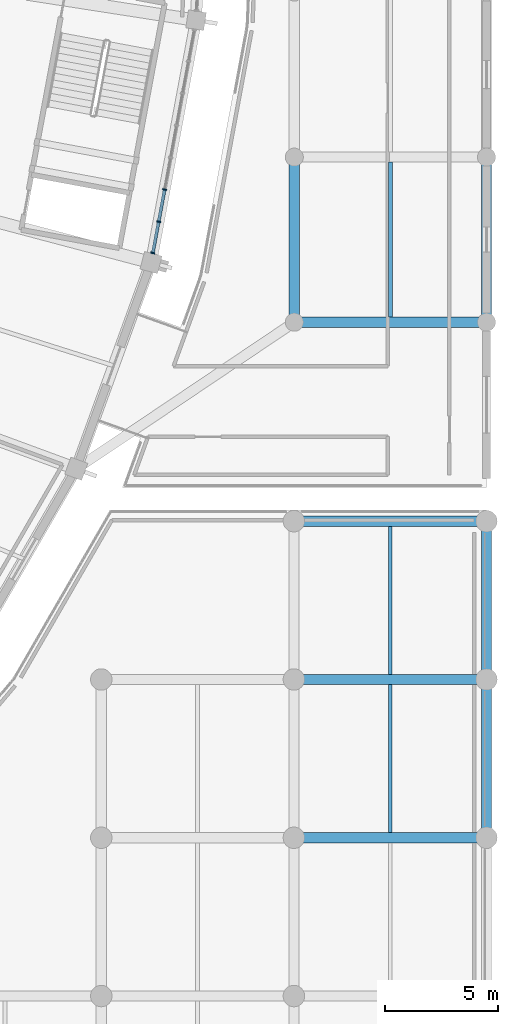
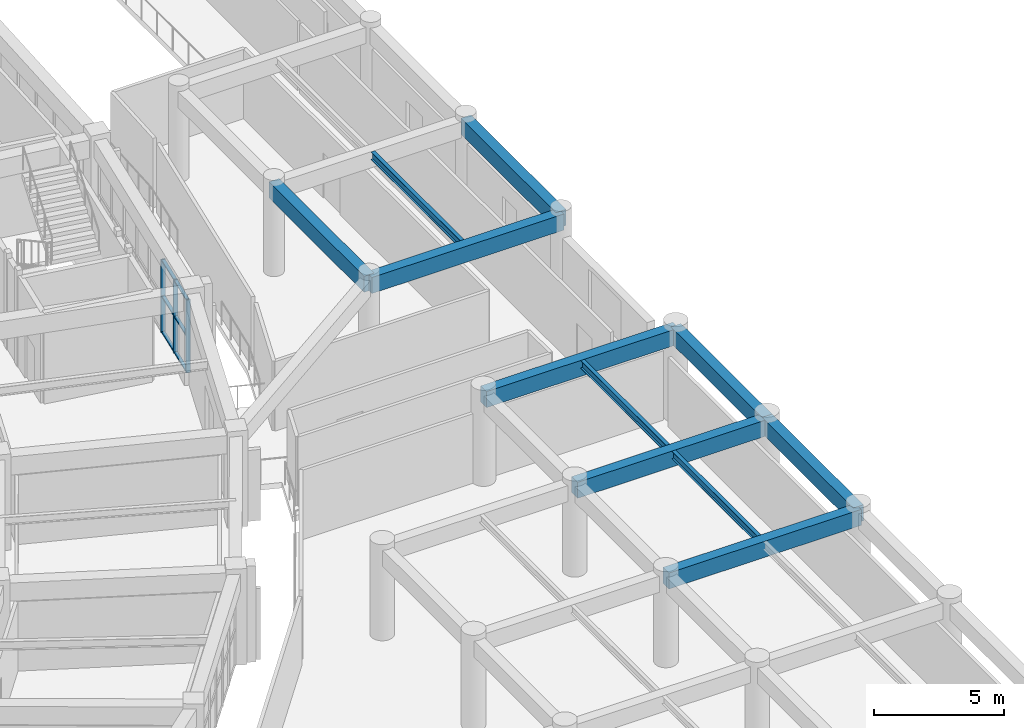
# One storey, part 46 of 145: 11 beams, 9 members, 1 element without a shape of its own.
"""IFC4 building model written with IfcOpenShell, lengths in metres."""

from ifc_helpers import new_model, si_unit, direction, frame, origin, origin_2d, place, context, subcontext, project, spatial, rectangle, i_section, extrude, material, layer, layer_set, material_profile, profile_set, type_object, element, aggregate, save


model = new_model("IFC4")

# Units and contexts
model_context = context("Model", 3, precision=1e-05, world=origin(), true_north=direction((0.0, 1.0)))
body_context = subcontext(model_context, "Body", "Model", "MODEL_VIEW")
ifc_project = project(units=[si_unit("LENGTHUNIT", "METRE"), si_unit("AREAUNIT", "SQUARE_METRE"), si_unit("VOLUMEUNIT", "CUBIC_METRE"), si_unit("PLANEANGLEUNIT", "RADIAN"), si_unit("MASSUNIT", "GRAM", prefix="KILO")], contexts=[model_context])

# Site, building, storey
site_placement = place(None, origin())
site = spatial("IfcSite", under=ifc_project, at=site_placement, CompositionType="ELEMENT")
building_placement = place(site_placement, origin())
building = spatial("IfcBuilding", under=site, at=building_placement, Name="Mphavela Belvedere Stadium", CompositionType="ELEMENT")
storey_placement = place(building_placement, frame((0.0, 0.0, 10.199951171875)))
storey = spatial("IfcBuildingStorey", under=building, at=storey_placement, Name="L02", CompositionType="ELEMENT", Elevation=10.199951171875)

# Beams
ifc_material_1 = material(Name="Steel S355", Category="steel")
ifc_material_profile_1 = material_profile(ifc_material_1, i_section(OverallWidth=0.169921875, OverallDepth=0.360107421875, WebThickness=0.008056640625, FlangeThickness=0.0126953125, at=origin_2d()), Name="IPE 360")
ifc_profile_set_1 = profile_set([ifc_material_profile_1], Name="Steel S355")
beam_type_1 = type_object("IfcBeamType", Name="BM-JOIST-IPE360", PredefinedType="JOIST", material=ifc_profile_set_1)
for number, where, z_axis, x_axis, name in (
    (1, (225.740478515625, 35.22509765625, 4.06005859375), (0.0, 1.0, 0.0), (-1.0, 0.0, 0.0), "South Axial Triumphal Peristyle Portico secondary joist L02 27-6"),
    (2, (225.740478515625, 42.22509765625, 4.06005859375), (0.0, 1.0, 0.0), (-1.0, 0.0, 0.0), "South Axial Triumphal Peristyle Portico secondary joist L02 27-7"),
):
    element("IfcBeam", number, at=place(storey_placement, frame(where, z_axis=z_axis, x_axis=x_axis)), inside=storey, type_object=beam_type_1, Name=name, PredefinedType="JOIST", context=body_context, shape_type="SweptSolid", body=[
        extrude(i_section(OverallWidth=0.169921875, OverallDepth=0.360107421875, WebThickness=0.008056640625, FlangeThickness=0.0126953125, at=origin_2d()), origin(), (0.0, 0.0, 1.0), 6.5498046875),
    ])
beam_1_placement = place(storey_placement, frame((225.75, 58.02490234375, 4.06005859375), z_axis=(0.0, 1.0, 0.0), x_axis=(-1.0, 0.0, 0.0)))
element("IfcBeam", 3, at=beam_1_placement, inside=storey, type_object=beam_type_1, Name="East Planted Eaves Peristyle Colonnade secondary joist L02 8-2", PredefinedType="JOIST", context=body_context, shape_type="SweptSolid", body=[
    extrude(i_section(OverallWidth=0.169921875, OverallDepth=0.360107421875, WebThickness=0.008056640625, FlangeThickness=0.0126953125, at=origin_2d()), origin(), (0.0, 0.0, 1.0), 6.85009765625),
])
ifc_material_2 = material(Name="Concrete C40/50", Category="concrete")
ifc_material_profile_2 = material_profile(ifc_material_2, rectangle(XDim=0.449951171875, YDim=0.75, at=origin_2d()), Name="RC 450x750")
ifc_profile_set_2 = profile_set([ifc_material_profile_2], Name="Concrete C40/50")
beam_type_2 = type_object("IfcBeamType", Name="BM-RC450x750", PredefinedType="BEAM", material=ifc_profile_set_2)
for number, where, z_axis, x_axis, name in (
    (4, (221.48095703125, 35.0, 3.864990234375), (1.0, 0.0, 0.0), (0.0, 1.0, 0.0), "South Axial Triumphal Peristyle Portico entablature beam X L02 27-6"),
    (5, (221.48095703125, 42.0, 3.864990234375), (1.0, 0.0, 0.0), (0.0, 1.0, 0.0), "South Axial Triumphal Peristyle Portico entablature beam X L02 27-7"),
    (6, (221.48095703125, 49.0, 3.864990234375), (1.0, 0.0, 0.0), (0.0, 1.0, 0.0), "South Axial Triumphal Peristyle Portico entablature beam X L02 27-8"),
):
    element("IfcBeam", number, at=place(storey_placement, frame(where, z_axis=z_axis, x_axis=x_axis)), inside=storey, type_object=beam_type_2, Name=name, PredefinedType="BEAM", context=body_context, shape_type="SweptSolid", body=[
        extrude(rectangle(XDim=0.449951171875, YDim=0.75, at=origin_2d()), origin(), (0.0, 0.0, 1.0), 8.51904296875),
    ])
for number, where, z_axis, x_axis, name in (
    (7, (230.0, 35.0, 3.864990234375), (0.0, 1.0, 0.0), (-1.0, 0.0, 0.0), "South Axial Triumphal Peristyle Portico entablature beam Y L02 28-6"),
    (8, (230.0, 42.0, 3.864990234375), (0.0, 1.0, 0.0), (-1.0, 0.0, 0.0), "South Axial Triumphal Peristyle Portico entablature beam Y L02 28-7"),
):
    element("IfcBeam", number, at=place(storey_placement, frame(where, z_axis=z_axis, x_axis=x_axis)), inside=storey, type_object=beam_type_2, Name=name, PredefinedType="BEAM", context=body_context, shape_type="SweptSolid", body=[
        extrude(rectangle(XDim=0.449951171875, YDim=0.75, at=origin_2d()), origin(), (0.0, 0.0, 1.0), 7.0),
    ])
beam_2_placement = place(storey_placement, frame((221.5, 57.800048828125, 3.864990234375), z_axis=(1.0, 0.0, 0.0), x_axis=(0.0, 1.0, 0.0)))
element("IfcBeam", 9, at=beam_2_placement, inside=storey, type_object=beam_type_2, Name="East Planted Eaves Peristyle Colonnade entablature beam X L02 8-2", PredefinedType="BEAM", context=body_context, shape_type="SweptSolid", body=[
    extrude(rectangle(XDim=0.449951171875, YDim=0.75, at=origin_2d()), origin(), (0.0, 0.0, 1.0), 8.5),
])
for number, where, z_axis, x_axis, name in (
    (10, (221.5, 57.800048828125, 3.864990234375), (0.0, 1.0, 0.0), (-1.0, 0.0, 0.0), "East Planted Eaves Peristyle Colonnade entablature beam Y L02 8-2"),
    (11, (230.0, 57.800048828125, 3.864990234375), (0.0, 1.0, 0.0), (-1.0, 0.0, 0.0), "East Planted Eaves Peristyle Colonnade entablature beam Y L02 9-2"),
):
    element("IfcBeam", number, at=place(storey_placement, frame(where, z_axis=z_axis, x_axis=x_axis)), inside=storey, type_object=beam_type_2, Name=name, PredefinedType="BEAM", context=body_context, shape_type="SweptSolid", body=[
        extrude(rectangle(XDim=0.449951171875, YDim=0.75, at=origin_2d()), origin(), (0.0, 0.0, 1.0), 7.300048828125),
    ])

# Curtain wall, members
ifc_material_3 = material(Name="Anodised bronze unitised curtain wall framing")
ifc_layer = layer(ifc_material_3, 0.199951171875)
ifc_layer_set = layer_set([ifc_layer], Name="Anodised bronze unitised curtain wall framing")
curtain_wall_type = type_object("IfcCurtainWallType", Name="CW-UNIT-05", PredefinedType="USERDEFINED", material=ifc_layer_set)
curtain_wall_placement = place(storey_placement, origin())
curtain_wall = element("IfcCurtainWall", 12, at=curtain_wall_placement, inside=storey, type_object=curtain_wall_type, Name="Belvedere colonnade curtain wall L02-47", ObjectType="UNITISED CURTAIN WALL", PredefinedType="USERDEFINED")
ifc_material_4 = material(Name="Anodised bronze extruded aluminium", Category="aluminium")
ifc_material_profile_3 = material_profile(ifc_material_4, rectangle(XDim=0.179931640625, YDim=0.06494140625, at=origin_2d()), Name="CW-MUL 180x65")
ifc_profile_set_3 = profile_set([ifc_material_profile_3], Name="Anodised bronze extruded aluminium")
member_type_1 = type_object("IfcMemberType", Name="CWM-180x65", PredefinedType="MULLION", material=ifc_profile_set_3)
member_1_placement = place(storey_placement, frame((215.2431640625, 60.86083984375, 0.0), z_axis=(0.0, 0.0, 1.0), x_axis=(-0.983182568174, 0.182625402503, 0.0)))
member_1 = element("IfcMember", 13, at=member_1_placement, type_object=member_type_1, Name="CW-05 mullion 1", PredefinedType="MULLION", context=body_context, shape_type="SweptSolid", body=[
    extrude(rectangle(XDim=0.179931640625, YDim=0.06494140625, at=origin_2d()), origin(), (0.0, 0.0, 1.0), 3.420166015625),
])
member_2_placement = place(storey_placement, frame((215.5009765625, 62.248046875, 0.0), z_axis=(0.0, 0.0, 1.0), x_axis=(-0.983182568174, 0.182625402503, 0.0)))
member_2 = element("IfcMember", 14, at=member_2_placement, type_object=member_type_1, Name="CW-05 mullion 2", PredefinedType="MULLION", context=body_context, shape_type="SweptSolid", body=[
    extrude(rectangle(XDim=0.179931640625, YDim=0.06494140625, at=origin_2d()), origin(), (0.0, 0.0, 1.0), 3.420166015625),
])
member_3_placement = place(storey_placement, frame((215.7646484375, 63.667236328125, 0.0), z_axis=(0.0, 0.0, 1.0), x_axis=(-0.983182568174, 0.182625402503, 0.0)))
member_3 = element("IfcMember", 15, at=member_3_placement, type_object=member_type_1, Name="CW-05 mullion 3", PredefinedType="MULLION", context=body_context, shape_type="SweptSolid", body=[
    extrude(rectangle(XDim=0.179931640625, YDim=0.06494140625, at=origin_2d()), origin(), (0.0, 0.0, 1.0), 3.420166015625),
])
ifc_material_5 = material(Name="Anodised bronze extruded aluminium", Category="aluminium")
ifc_material_profile_4 = material_profile(ifc_material_5, rectangle(XDim=0.139892578125, YDim=0.06005859375, at=origin_2d()), Name="CW-TRN 140x60")
ifc_profile_set_4 = profile_set([ifc_material_profile_4], Name="Anodised bronze extruded aluminium")
member_type_2 = type_object("IfcMemberType", Name="CWT-140x60", PredefinedType="USERDEFINED", material=ifc_profile_set_4)
member_4_placement = place(storey_placement, frame((215.249267578125, 60.892822265625, 0.030029296875), z_axis=(0.1824919897, 0.983207340135, 0.0), x_axis=(-0.983207340135, 0.1824919897, 0.0)))
member_4 = element("IfcMember", 16, at=member_4_placement, type_object=member_type_2, Name="CW-05 transom 1.1", ObjectType="TRANSOM", PredefinedType="USERDEFINED", context=body_context, shape_type="SweptSolid", body=[
    extrude(rectangle(XDim=0.139892578125, YDim=0.06005859375, at=origin_2d()), origin(), (0.0, 0.0, 1.0), 1.345947265625),
])
member_5_placement = place(storey_placement, frame((215.249267578125, 60.892822265625, 1.7099609375), z_axis=(0.1824919897, 0.983207340135, 0.0), x_axis=(-0.983207340135, 0.1824919897, 0.0)))
member_5 = element("IfcMember", 17, at=member_5_placement, type_object=member_type_2, Name="CW-05 transom 1.2", ObjectType="TRANSOM", PredefinedType="USERDEFINED", context=body_context, shape_type="SweptSolid", body=[
    extrude(rectangle(XDim=0.139892578125, YDim=0.06005859375, at=origin_2d()), origin(), (0.0, 0.0, 1.0), 1.345947265625),
])
member_6_placement = place(storey_placement, frame((215.249267578125, 60.892822265625, 3.39013671875), z_axis=(0.1824919897, 0.983207340135, 0.0), x_axis=(-0.983207340135, 0.1824919897, 0.0)))
member_6 = element("IfcMember", 18, at=member_6_placement, type_object=member_type_2, Name="CW-05 transom 1.3", ObjectType="TRANSOM", PredefinedType="USERDEFINED", context=body_context, shape_type="SweptSolid", body=[
    extrude(rectangle(XDim=0.139892578125, YDim=0.06005859375, at=origin_2d()), origin(), (0.0, 0.0, 1.0), 1.345947265625),
])
member_7_placement = place(storey_placement, frame((215.5068359375, 62.280029296875, 0.030029296875), z_axis=(0.182577520933, 0.983191460932, 0.0), x_axis=(-0.983191460932, 0.182577520933, 0.0)))
member_7 = element("IfcMember", 19, at=member_7_placement, type_object=member_type_2, Name="CW-05 transom 2.1", ObjectType="TRANSOM", PredefinedType="USERDEFINED", context=body_context, shape_type="SweptSolid", body=[
    extrude(rectangle(XDim=0.139892578125, YDim=0.06005859375, at=origin_2d()), origin(), (0.0, 0.0, 1.0), 1.378662109375),
])
member_8_placement = place(storey_placement, frame((215.5068359375, 62.280029296875, 1.7099609375), z_axis=(0.182577520933, 0.983191460932, 0.0), x_axis=(-0.983191460932, 0.182577520933, 0.0)))
member_8 = element("IfcMember", 20, at=member_8_placement, type_object=member_type_2, Name="CW-05 transom 2.2", ObjectType="TRANSOM", PredefinedType="USERDEFINED", context=body_context, shape_type="SweptSolid", body=[
    extrude(rectangle(XDim=0.139892578125, YDim=0.06005859375, at=origin_2d()), origin(), (0.0, 0.0, 1.0), 1.378662109375),
])
member_9_placement = place(storey_placement, frame((215.5068359375, 62.280029296875, 3.39013671875), z_axis=(0.182577520933, 0.983191460932, 0.0), x_axis=(-0.983191460932, 0.182577520933, 0.0)))
member_9 = element("IfcMember", 21, at=member_9_placement, type_object=member_type_2, Name="CW-05 transom 2.3", ObjectType="TRANSOM", PredefinedType="USERDEFINED", context=body_context, shape_type="SweptSolid", body=[
    extrude(rectangle(XDim=0.139892578125, YDim=0.06005859375, at=origin_2d()), origin(), (0.0, 0.0, 1.0), 1.378662109375),
])
aggregate(curtain_wall, [member_1, member_2, member_3, member_4, member_5, member_6, member_7, member_8, member_9])

save(model, "model.ifc")
